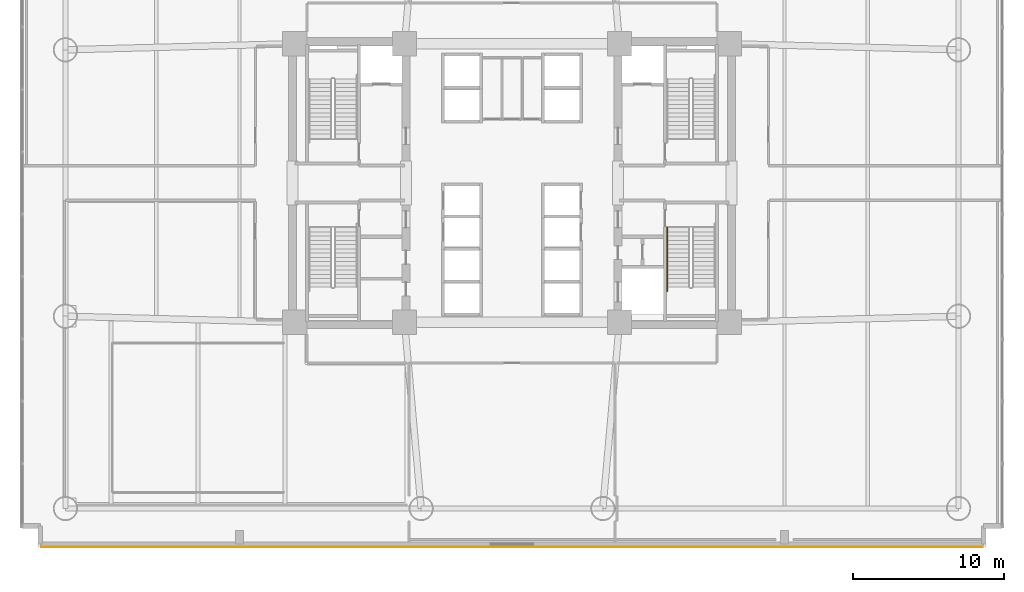
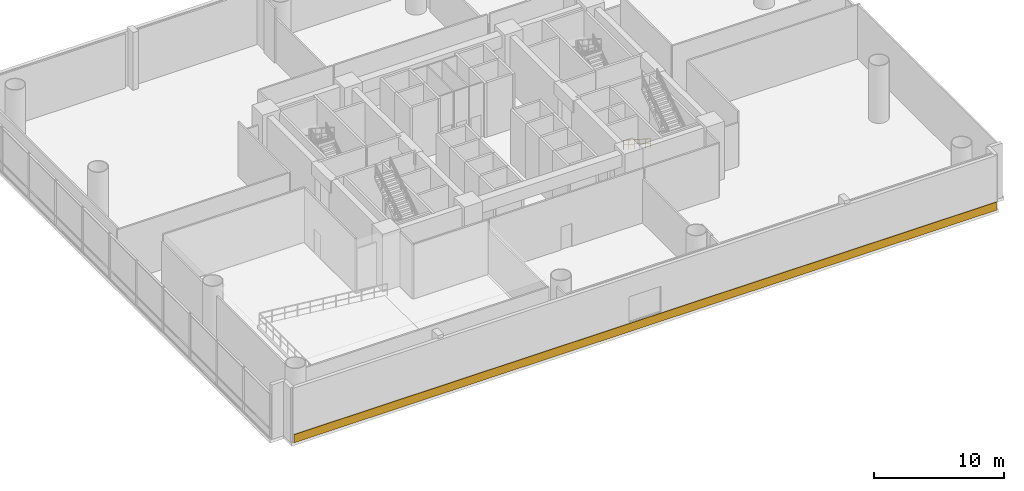
# One storey, part 13 of 15: 1 covering, 1 railing.
"""IFC4 building model written with IfcOpenShell, lengths in metres."""

from ifc_helpers import new_model, si_unit, direction, frame, origin, origin_2d, place, context, subcontext, project, spatial, rectangle, extrude, source, transform, mapped, material, layer, layer_set, type_object, element, save


model = new_model("IFC4")

# Units and contexts
model_context = context("Model", 3, precision=1e-05, world=origin(), true_north=direction((0.0, 1.0)))
body_context = subcontext(model_context, "Body", "Model", "MODEL_VIEW")
ifc_project = project(units=[si_unit("LENGTHUNIT", "METRE"), si_unit("AREAUNIT", "SQUARE_METRE"), si_unit("VOLUMEUNIT", "CUBIC_METRE"), si_unit("PLANEANGLEUNIT", "RADIAN"), si_unit("MASSUNIT", "GRAM", prefix="KILO")], contexts=[model_context])

# Site, building, storey
site_placement = place(None, origin())
site = spatial("IfcSite", under=ifc_project, at=site_placement, CompositionType="ELEMENT")
building_placement = place(site_placement, origin())
building = spatial("IfcBuilding", under=site, at=building_placement, Name="Zahravan Cultural Tower", CompositionType="ELEMENT")
storey_placement = place(building_placement, frame((0.0, 0.0, 12.60009765625)))
storey = spatial("IfcBuildingStorey", under=building, at=storey_placement, Name="L02", CompositionType="ELEMENT", Elevation=12.60009765625)

# Railing
ifc_material_1 = material(Name="Steel ASTM A572 Grade 50", Category="steel")
railing_type = type_object("IfcRailingType", Name="RL-STAIR-HR900", PredefinedType="HANDRAIL", material=ifc_material_1)
railing_placement = place(storey_placement, frame((46.25, 24.050048828125, 0.179931640625)))
element("IfcRailing", 1, at=railing_placement, inside=storey, type_object=railing_type, Name="L02 ST-E2 stair handrail 1", PredefinedType="HANDRAIL", context=body_context, shape_type="SweptSolid", body=[
    extrude(rectangle(XDim=0.05, YDim=0.05, at=origin_2d()), frame((0.0, 0.0, 0.875), z_axis=(0.0, -0.841180064094, 0.540755119968), x_axis=(1.0, 0.0, 0.0)), (0.0, 0.0, 1.0), 4.992919921875),
    extrude(rectangle(XDim=0.032, YDim=0.032, at=origin_2d()), frame((0.0, 0.0, 0.468017578125), z_axis=(0.0, -0.841180064094, 0.540755119968), x_axis=(1.0, 0.0, 0.0)), (0.0, 0.0, 1.0), 4.992919921875),
    extrude(rectangle(XDim=0.04, YDim=0.04, at=origin_2d()), origin(), (0.0, 0.0, 1.0), 0.89990234375),
    extrude(rectangle(XDim=0.04, YDim=0.04, at=origin_2d()), frame((0.0, -0.840087890625, 0.5400390625)), (0.0, 0.0, 1.0), 0.89990234375),
    extrude(rectangle(XDim=0.04, YDim=0.04, at=origin_2d()), frame((0.0, -1.679931640625, 1.080078125)), (0.0, 0.0, 1.0), 0.89990234375),
    extrude(rectangle(XDim=0.04, YDim=0.04, at=origin_2d()), frame((0.0, -2.52001953125, 1.619873046875)), (0.0, 0.0, 1.0), 0.89990234375),
    extrude(rectangle(XDim=0.04, YDim=0.04, at=origin_2d()), frame((0.0, -3.35986328125, 2.159912109375)), (0.0, 0.0, 1.0), 0.89990234375),
    extrude(rectangle(XDim=0.04, YDim=0.04, at=origin_2d()), frame((0.0, -4.199951171875, 2.699951171875)), (0.0, 0.0, 1.0), 0.89990234375),
])

# Covering
ifc_material_2 = material(Name="Terracotta ceramic cladding", Category="masonry")
ifc_layer = layer(ifc_material_2, 0.06005859375)
ifc_layer_set = layer_set([ifc_layer], Name="Terracotta ceramic cladding")
covering_type = type_object("IfcCoveringType", Name="COV-CLAD-TC60", PredefinedType="CLADDING", material=ifc_layer_set)
shared_shape = source(origin(), body_context, "Body", "SweptSolid", [
    extrude(rectangle(XDim=62.219970703125, YDim=0.06005859375, at=origin_2d()), origin(), (0.0, 0.0, 1.0), 0.760009765625),
])
covering_placement = place(storey_placement, frame((36.0, 2.955078125, 0.02001953125), z_axis=(0.0, 0.0, 1.0), x_axis=(-1.0, 0.0, 0.0)))
element("IfcCovering", 2, at=covering_placement, inside=storey, type_object=covering_type, Name="L02 Terracotta Spandrel Cladding 03", PredefinedType="CLADDING", context=body_context, shape_type="MappedRepresentation", body=[
    mapped(shared_shape, transform((0.0, 0.0, 0.0), x_axis=(1.0, 0.0, 0.0), y_axis=(0.0, 1.0, 0.0), z_axis=(0.0, 0.0, 1.0), scale=1.0)),
])

save(model, "model.ifc")
